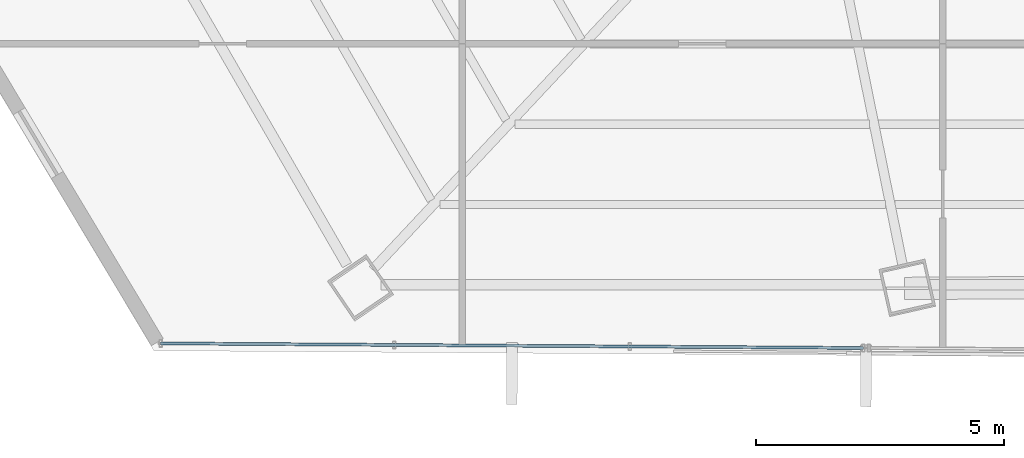
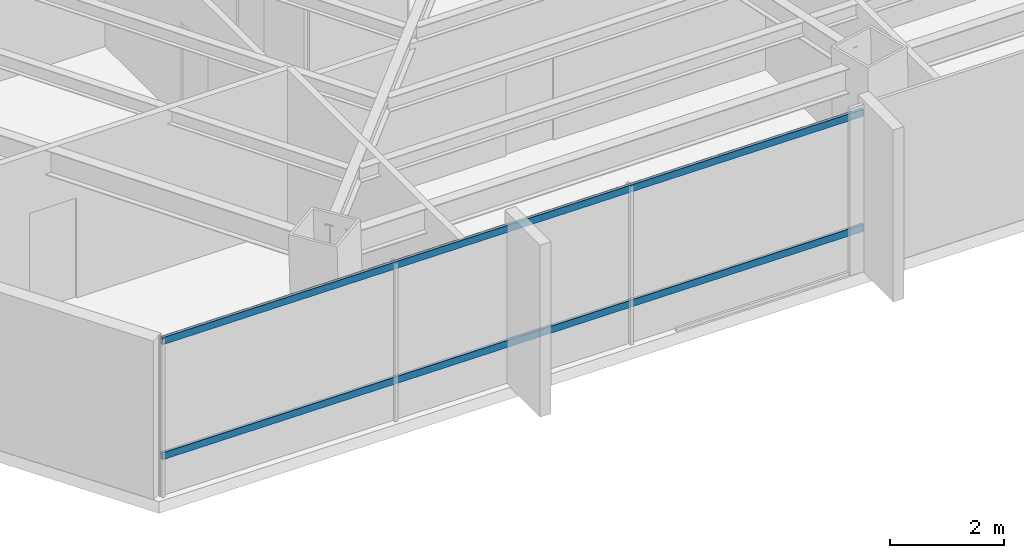
# One storey, part 3 of 41: 2 members, 1 element without a shape of its own.
"""IFC4 building model written with IfcOpenShell, lengths in metres."""

from ifc_helpers import new_model, si_unit, direction, frame, origin, origin_2d, place, context, subcontext, project, spatial, hollow_rectangle, extrude, source, transform, mapped, material, material_profile, profile_set, type_object, type_shapes, element, aggregate, save


model = new_model("IFC4")

# Units and contexts
model_context = context("Model", 3, precision=1e-05, world=origin(), true_north=direction((0.0, 1.0)))
body_context = subcontext(model_context, "Body", "Model", "MODEL_VIEW")
ifc_project = project(units=[si_unit("LENGTHUNIT", "METRE"), si_unit("AREAUNIT", "SQUARE_METRE"), si_unit("VOLUMEUNIT", "CUBIC_METRE"), si_unit("PLANEANGLEUNIT", "RADIAN"), si_unit("MASSUNIT", "GRAM", prefix="KILO")], contexts=[model_context])

# Site, building, storey
site_placement = place(None, origin())
site = spatial("IfcSite", under=ifc_project, at=site_placement, CompositionType="ELEMENT")
building_placement = place(site_placement, origin())
building = spatial("IfcBuilding", under=site, at=building_placement, Name="Caelisora Broadcast Tower", CompositionType="ELEMENT")
storey_placement = place(building_placement, frame((0.0, 0.0, 169.449951171875)))
storey = spatial("IfcBuildingStorey", under=building, at=storey_placement, Name="L44", CompositionType="ELEMENT", Elevation=169.449951171875)

# Curtain wall, members
ifc_material_1 = material(Name="Unitised Aluminium and Low-E Glass Curtain Wall", Category="glass")
curtain_wall_type = type_object("IfcCurtainWallType", Name="CW-Z3", PredefinedType="NOTDEFINED", material=ifc_material_1)
curtain_wall_placement = place(storey_placement, origin())
curtain_wall = element("IfcCurtainWall", 1, at=curtain_wall_placement, inside=storey, type_object=curtain_wall_type, Name="L44 curtain wall CW-Z3", PredefinedType="NOTDEFINED")
ifc_material_2 = material(Name="Aluminium 6063-T6 Anodised Terracotta Bronze", Category="aluminium")
ifc_material_profile = material_profile(ifc_material_2, hollow_rectangle(XDim=0.06005859375, YDim=0.14990234375, WallThickness=0.00341796875, at=origin_2d()), Name="Aluminium 6063-T6 Anodised Terracotta Bronze")
ifc_profile_set = profile_set([ifc_material_profile], Name="Aluminium 6063-T6 Anodised Terracotta Bronze")
member_type = type_object("IfcMemberType", Name="CWT-02", PredefinedType="USERDEFINED", material=ifc_profile_set)
shared_shape = source(origin(), body_context, "Body", "SweptSolid", [
    extrude(hollow_rectangle(XDim=0.06005859375, YDim=0.14990234375, WallThickness=0.00341796875, at=origin_2d()), origin(), (0.0, 0.0, 1.0), 14.18310546875),
])
type_shapes(member_type, [shared_shape])
member_1_placement = place(storey_placement, frame((31.597900390625, 6.407470703125, 0.85009765625), z_axis=(-0.999978381028, 0.006575521002, 0.0), x_axis=(-0.006575521002, -0.999978381028, 0.0)))
member_1 = element("IfcMember", 2, at=member_1_placement, type_object=member_type, Name="L44-CW-B07 transom #1", ObjectType="TRANSOM", PredefinedType="USERDEFINED", context=body_context, shape_type="MappedRepresentation", body=[
    mapped(shared_shape, transform((0.0, 0.0, 0.0), scale=1.0)),
])
member_2_placement = place(storey_placement, frame((31.597900390625, 6.407470703125, 3.320068359375), z_axis=(-0.999978381028, 0.006575521002, 0.0), x_axis=(-0.006575521002, -0.999978381028, 0.0)))
member_2 = element("IfcMember", 3, at=member_2_placement, type_object=member_type, Name="L44-CW-B07 transom #2", ObjectType="TRANSOM", PredefinedType="USERDEFINED", context=body_context, shape_type="MappedRepresentation", body=[
    mapped(shared_shape, transform((0.0, 0.0, 0.0), scale=1.0)),
])
aggregate(curtain_wall, [member_1, member_2])

save(model, "model.ifc")
